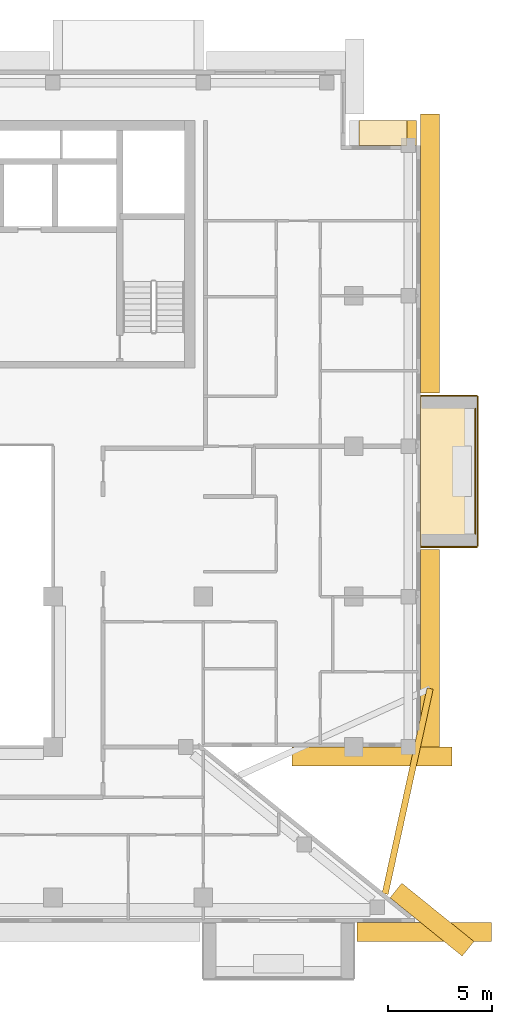
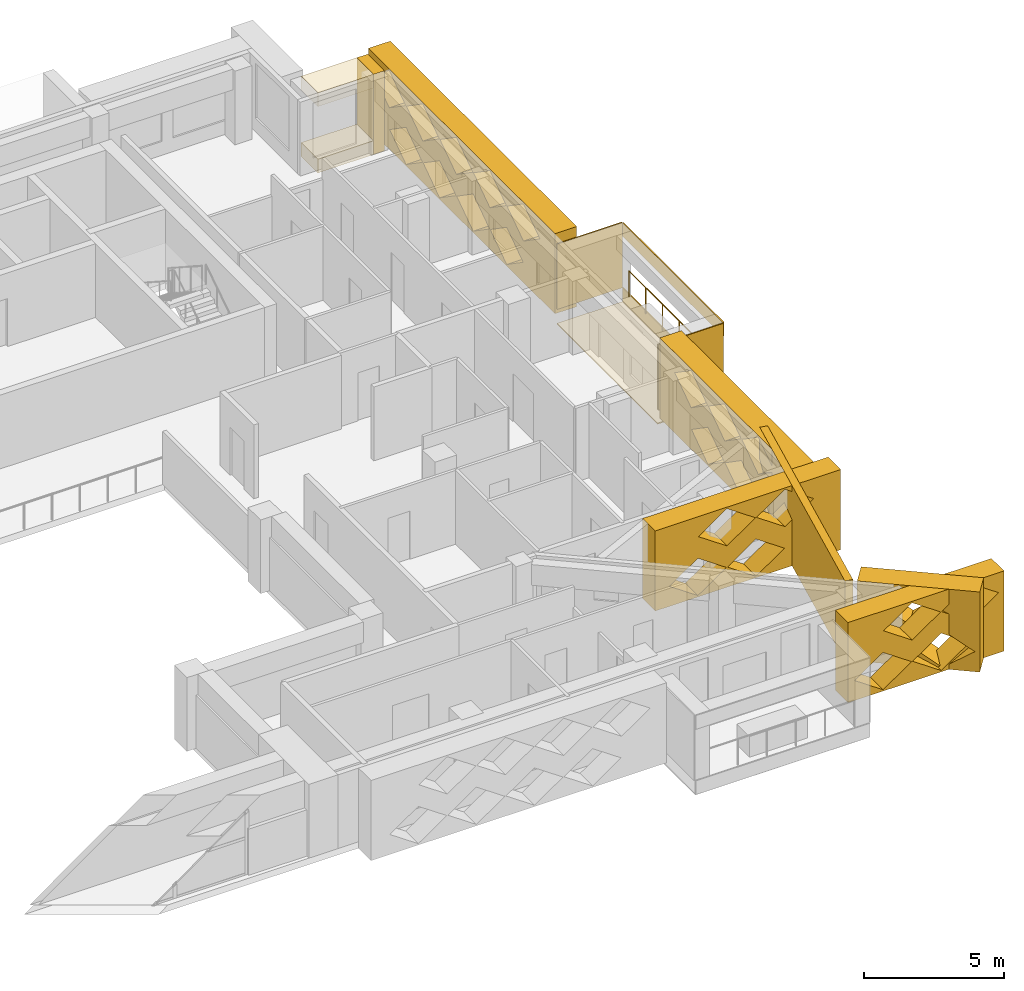
# One storey, part 19 of 19: 14 coverings, 1 railing.
"""IFC4 building model written with IfcOpenShell, lengths in metres."""

from ifc_helpers import new_model, si_unit, direction, frame, origin, origin_2d, place, context, subcontext, project, spatial, polyline, circle, outline, extrude, material, layer, layer_set, type_object, element, save


model = new_model("IFC4")

# Units and contexts
model_context = context("Model", 3, precision=1e-05, world=origin(), true_north=direction((0.0, 1.0)))
body_context = subcontext(model_context, "Body", "Model", "MODEL_VIEW")
ifc_project = project(units=[si_unit("LENGTHUNIT", "METRE"), si_unit("AREAUNIT", "SQUARE_METRE"), si_unit("VOLUMEUNIT", "CUBIC_METRE"), si_unit("PLANEANGLEUNIT", "RADIAN"), si_unit("MASSUNIT", "GRAM", prefix="KILO")], contexts=[model_context])

# Site, building, storey
site_placement = place(None, origin())
site = spatial("IfcSite", under=ifc_project, at=site_placement, CompositionType="ELEMENT")
building_placement = place(site_placement, origin())
building = spatial("IfcBuilding", under=site, at=building_placement, Name="Saffron Iwan Residences", CompositionType="ELEMENT")
storey_placement = place(building_placement, frame((0.0, 0.0, 222.0)))
storey = spatial("IfcBuildingStorey", under=building, at=storey_placement, Name="L59", CompositionType="ELEMENT", Elevation=222.0)

# Railing
ifc_material_1 = material(Name="Stainless steel 316", Category="steel")
railing_type = type_object("IfcRailingType", Name="BALCONY GUARD 1150", PredefinedType="GUARDRAIL", material=ifc_material_1)
railing_placement = place(storey_placement, frame((85.02490234375, 58.199951171875, 0.0)))
element("IfcRailing", 1, at=railing_placement, inside=storey, type_object=railing_type, Name="Balcony guard L59 F2-0", PredefinedType="GUARDRAIL", context=body_context, shape_type="SweptSolid", body=[
    extrude(circle(Radius=0.02392578125, at=origin_2d()), frame((0.0, 0.0, 1.1259765625), z_axis=(0.0, 1.0, 0.0), x_axis=(-1.0, 0.0, 0.0)), (0.0, 0.0, 1.0), 6.0),
    extrude(circle(Radius=0.02099609375, at=origin_2d()), origin(), (0.0, 0.0, 1.0), 1.101806640625),
    extrude(circle(Radius=0.02099609375, at=origin_2d()), frame((0.0, 1.199951171875, 0.0)), (0.0, 0.0, 1.0), 1.101806640625),
    extrude(circle(Radius=0.02099609375, at=origin_2d()), frame((0.0, 2.39990234375, 0.0)), (0.0, 0.0, 1.0), 1.101806640625),
    extrude(circle(Radius=0.02099609375, at=origin_2d()), frame((0.0, 3.60009765625, 0.0)), (0.0, 0.0, 1.0), 1.101806640625),
    extrude(circle(Radius=0.02099609375, at=origin_2d()), frame((0.0, 4.800048828125, 0.0)), (0.0, 0.0, 1.0), 1.101806640625),
    extrude(circle(Radius=0.02099609375, at=origin_2d()), frame((0.0, 6.0, 0.0)), (0.0, 0.0, 1.0), 1.101806640625),
])

# Coverings
ifc_material_2 = material(Name="Precast concrete C40/50 white painted", Category="concrete")
ifc_layer_1 = layer(ifc_material_2, 0.050048828125)
ifc_layer_set_1 = layer_set([ifc_layer_1], Name="Precast concrete C40/50 white painted")
covering_type_1 = type_object("IfcCoveringType", Name="FRAME SKIN PRECAST WHITE 50", PredefinedType="CLADDING", material=ifc_layer_set_1)
for number, where, name in (
    (2, (0.0, 0.0, -0.60009765625), "Frame skin slab edge L59 F2-0"),
    (3, (0.0, 0.0, 2.25), "Frame skin fascia L59 F2-0"),
):
    element("IfcCovering", number, at=place(storey_placement, frame(where)), inside=storey, type_object=covering_type_1, Name=name, PredefinedType="CLADDING", context=body_context, shape_type="SweptSolid", body=[
        extrude(outline(polyline([(85.14990234375, 57.60009765625), (85.14990234375, 64.800048828125), (85.10009765625, 64.800048828125), (85.10009765625, 57.60009765625), (85.14990234375, 57.60009765625)])), origin(), (0.0, 0.0, 1.0), 0.60009765625),
    ])
covering_1_placement = place(storey_placement, frame((0.0, 0.0, -0.64990234375)))
element("IfcCovering", 4, at=covering_1_placement, inside=storey, type_object=covering_type_1, Name="Frame skin soffit L59 F2-0", PredefinedType="CLADDING", context=body_context, shape_type="SweptSolid", body=[
    extrude(outline(polyline([(85.10009765625, 57.60009765625), (85.10009765625, 64.800048828125), (82.39990234375, 64.800048828125), (82.39990234375, 57.60009765625), (85.10009765625, 57.60009765625)])), origin(), (0.0, 0.0, 1.0), 0.0498046875),
])
covering_2_placement = place(storey_placement, origin())
element("IfcCovering", 5, at=covering_2_placement, inside=storey, type_object=covering_type_1, Name="Frame skin fin L59 F2-0a", PredefinedType="CLADDING", context=body_context, shape_type="SweptSolid", body=[
    extrude(outline(polyline([(85.10009765625, 57.550048828125), (85.10009765625, 57.60009765625), (82.39990234375, 57.60009765625), (82.39990234375, 57.550048828125), (85.10009765625, 57.550048828125)])), origin(), (0.0, 0.0, 1.0), 2.85009765625),
])
covering_3_placement = place(storey_placement, origin())
element("IfcCovering", 6, at=covering_3_placement, inside=storey, type_object=covering_type_1, Name="Frame skin fin L59 F2-0b", PredefinedType="CLADDING", context=body_context, shape_type="SweptSolid", body=[
    extrude(outline(polyline([(85.10009765625, 64.800048828125), (85.10009765625, 64.85009765625), (82.39990234375, 64.85009765625), (82.39990234375, 64.800048828125), (85.10009765625, 64.800048828125)])), origin(), (0.0, 0.0, 1.0), 2.85009765625),
])
ifc_material_3 = material(Name="Precast concrete C40/50", Category="concrete")
covering_type_2 = type_object("IfcCoveringType", Name="OUTER SKIN LATTICE SCREEN", PredefinedType="CLADDING", material=ifc_material_3)
covering_4_placement = place(storey_placement, frame((84.387939453125, 37.994384765625, -0.280029296875), z_axis=(0.628558089533, 0.777762642509, 0.0), x_axis=(-0.777762642509, 0.628558089533, 0.0)))
element("IfcCovering", 7, at=covering_4_placement, inside=storey, type_object=covering_type_2, Name="OUTER SKIN lattice screen L59 F0.0", PredefinedType="CLADDING", context=body_context, shape_type="SweptSolid", body=[
    extrude(outline(polyline([(0.0, 0.0), (4.439697265625, 0.0), (4.439697265625, 3.5), (0.0, 3.5), (0.0, 0.0)]), holes=[polyline([(0.175537109375, 0.875), (1.35546875, 0.06005859375), (2.535400390625, 0.875), (1.35546875, 1.68994140625), (0.175537109375, 0.875)]), polyline([(1.37548828125, 2.625), (2.555419921875, 1.81005859375), (3.735595703125, 2.625), (2.555419921875, 3.43994140625), (1.37548828125, 2.625)])]), origin(), (0.0, 0.0, 1.0), 0.89990234375),
])
covering_5_placement = place(storey_placement, frame((76.235595703125, 48.0, -0.280029296875), z_axis=(0.0, -1.0, 0.0), x_axis=(1.0, 0.0, 0.0)))
element("IfcCovering", 8, at=covering_5_placement, inside=storey, type_object=covering_type_2, Name="OUTER SKIN lattice screen L59 F1.0", PredefinedType="CLADDING", context=body_context, shape_type="SweptSolid", body=[
    extrude(outline(polyline([(0.0, 0.0), (7.66455078125, 0.0), (7.66455078125, 3.5), (0.0, 3.5), (0.0, 0.0)]), holes=[polyline([(0.58447265625, 0.875), (1.764404296875, 0.06005859375), (2.944580078125, 0.875), (1.764404296875, 1.68994140625), (0.58447265625, 0.875)]), polyline([(2.984619140625, 0.875), (4.16455078125, 0.06005859375), (5.344482421875, 0.875), (4.16455078125, 1.68994140625), (2.984619140625, 0.875)]), polyline([(1.784423828125, 2.625), (2.964599609375, 1.81005859375), (4.14453125, 2.625), (2.964599609375, 3.43994140625), (1.784423828125, 2.625)]), polyline([(4.1845703125, 2.625), (5.364501953125, 1.81005859375), (6.54443359375, 2.625), (5.364501953125, 3.43994140625), (4.1845703125, 2.625)])]), origin(), (0.0, 0.0, 1.0), 0.89990234375),
])
covering_6_placement = place(storey_placement, frame((82.39990234375, 47.10009765625, -0.280029296875), z_axis=(1.0, 0.0, 0.0), x_axis=(0.0, 1.0, 0.0)))
element("IfcCovering", 9, at=covering_6_placement, inside=storey, type_object=covering_type_2, Name="OUTER SKIN lattice screen L59 F2.0", PredefinedType="CLADDING", context=body_context, shape_type="SweptSolid", body=[
    extrude(outline(polyline([(0.0, 0.0), (10.35009765625, 0.0), (10.35009765625, 3.5), (0.0, 3.5), (0.0, 0.0)]), holes=[polyline([(0.919921875, 0.875), (2.10009765625, 0.06005859375), (3.280029296875, 0.875), (2.10009765625, 1.68994140625), (0.919921875, 0.875)]), polyline([(3.320068359375, 0.875), (4.5, 0.06005859375), (5.679931640625, 0.875), (4.5, 1.68994140625), (3.320068359375, 0.875)]), polyline([(5.719970703125, 0.875), (6.89990234375, 0.06005859375), (8.080078125, 0.875), (6.89990234375, 1.68994140625), (5.719970703125, 0.875)]), polyline([(2.1201171875, 2.625), (3.300048828125, 1.81005859375), (4.47998046875, 2.625), (3.300048828125, 3.43994140625), (2.1201171875, 2.625)]), polyline([(4.52001953125, 2.625), (5.699951171875, 1.81005859375), (6.8798828125, 2.625), (5.699951171875, 3.43994140625), (4.52001953125, 2.625)]), polyline([(6.919921875, 2.625), (8.10009765625, 1.81005859375), (9.280029296875, 2.625), (8.10009765625, 3.43994140625), (6.919921875, 2.625)])]), origin(), (0.0, 0.0, 1.0), 0.900146484375),
])
covering_7_placement = place(storey_placement, frame((82.39990234375, 64.949951171875, -0.280029296875), z_axis=(1.0, 0.0, 0.0), x_axis=(0.0, 1.0, 0.0)))
element("IfcCovering", 10, at=covering_7_placement, inside=storey, type_object=covering_type_2, Name="OUTER SKIN lattice screen L59 F2.1", PredefinedType="CLADDING", context=body_context, shape_type="SweptSolid", body=[
    extrude(outline(polyline([(0.0, 0.0), (13.35009765625, 0.0), (13.35009765625, 3.5), (0.0, 3.5), (0.0, 0.0)]), holes=[polyline([(2.27001953125, 0.875), (3.449951171875, 0.06005859375), (4.6298828125, 0.875), (3.449951171875, 1.68994140625), (2.27001953125, 0.875)]), polyline([(4.669921875, 0.875), (5.85009765625, 0.06005859375), (7.030029296875, 0.875), (5.85009765625, 1.68994140625), (4.669921875, 0.875)]), polyline([(7.070068359375, 0.875), (8.25, 0.06005859375), (9.429931640625, 0.875), (8.25, 1.68994140625), (7.070068359375, 0.875)]), polyline([(9.469970703125, 0.875), (10.64990234375, 0.06005859375), (11.830078125, 0.875), (10.64990234375, 1.68994140625), (9.469970703125, 0.875)]), polyline([(1.070068359375, 2.625), (2.25, 1.81005859375), (3.429931640625, 2.625), (2.25, 3.43994140625), (1.070068359375, 2.625)]), polyline([(3.469970703125, 2.625), (4.64990234375, 1.81005859375), (5.830078125, 2.625), (4.64990234375, 3.43994140625), (3.469970703125, 2.625)]), polyline([(5.8701171875, 2.625), (7.050048828125, 1.81005859375), (8.22998046875, 2.625), (7.050048828125, 3.43994140625), (5.8701171875, 2.625)]), polyline([(8.27001953125, 2.625), (9.449951171875, 1.81005859375), (10.6298828125, 2.625), (9.449951171875, 3.43994140625), (8.27001953125, 2.625)]), polyline([(10.669921875, 2.625), (11.85009765625, 1.81005859375), (13.030029296875, 2.625), (11.85009765625, 3.43994140625), (10.669921875, 2.625)])]), origin(), (0.0, 0.0, 1.0), 0.900146484375),
])
covering_8_placement = place(storey_placement, frame((79.35009765625, 39.60009765625, -0.280029296875), z_axis=(0.0, -1.0, 0.0), x_axis=(1.0, 0.0, 0.0)))
element("IfcCovering", 11, at=covering_8_placement, inside=storey, type_object=covering_type_2, Name="OUTER SKIN lattice screen L59 F11.3", PredefinedType="CLADDING", context=body_context, shape_type="SweptSolid", body=[
    extrude(outline(polyline([(0.0, 0.0), (6.445556640625, 0.0), (6.445556640625, 3.5), (0.0, 3.5), (0.0, 0.0)]), holes=[polyline([(0.27001953125, 0.875), (1.449951171875, 0.06005859375), (2.6298828125, 0.875), (1.449951171875, 1.68994140625), (0.27001953125, 0.875)]), polyline([(2.669921875, 0.875), (3.85009765625, 0.06005859375), (5.030029296875, 0.875), (3.85009765625, 1.68994140625), (2.669921875, 0.875)]), polyline([(1.469970703125, 2.625), (2.64990234375, 1.81005859375), (3.830078125, 2.625), (2.64990234375, 3.43994140625), (1.469970703125, 2.625)]), polyline([(3.8701171875, 2.625), (5.050048828125, 1.81005859375), (6.22998046875, 2.625), (5.050048828125, 3.43994140625), (3.8701171875, 2.625)])]), origin(), (0.0, 0.0, 1.0), 0.900146484375),
])
ifc_layer_2 = layer(ifc_material_2, 0.300048828125)
ifc_layer_set_2 = layer_set([ifc_layer_2], Name="Precast concrete C40/50 white painted")
covering_type_3 = type_object("IfcCoveringType", Name="PROW NOSE BLADE PRECAST WHITE", PredefinedType="CLADDING", material=ifc_layer_set_2)
covering_9_placement = place(storey_placement, frame((0.0, 0.0, -0.280029296875)))
element("IfcCovering", 12, at=covering_9_placement, inside=storey, type_object=covering_type_3, Name="Prow nose blade L59 a", PredefinedType="CLADDING", context=body_context, shape_type="SweptSolid", body=[
    extrude(outline(polyline([(80.847412109375, 40.9404296875), (83.001708984375, 50.769287109375), (82.70849609375, 50.83349609375), (80.55419921875, 41.004638671875), (80.847412109375, 40.9404296875)])), origin(), (0.0, 0.0, 1.0), 3.5),
])
covering_type_4 = type_object("IfcCoveringType", Name="WHITE SUN FRAME PRECAST", PredefinedType="CLADDING", material=ifc_material_2)
covering_10_placement = place(storey_placement, frame((82.199951171875, 76.800048828125, -0.280029296875), z_axis=(0.0, 1.0, 0.0), x_axis=(-1.0, 0.0, 0.0)))
element("IfcCovering", 13, at=covering_10_placement, inside=storey, type_object=covering_type_4, Name="Sun frame L59 F3 0.2a", PredefinedType="CLADDING", context=body_context, shape_type="SweptSolid", body=[
    extrude(outline(polyline([(0.0, 0.0), (0.449951171875, 0.0), (0.449951171875, 3.5), (0.0, 3.5), (0.0, 0.0)])), origin(), (0.0, 0.0, 1.0), 1.199951171875),
])
for number, where, z_axis, x_axis, name in (
    (14, (81.75, 76.800048828125, 2.6201171875), (0.0, 1.0, 0.0), (-1.0, 0.0, 0.0), "Sun frame L59 F3 0.2h"),
    (15, (81.75, 76.800048828125, -0.280029296875), (0.0, 1.0, 0.0), (-1.0, 0.0, 0.0), "Sun frame L59 F3 0.2s"),
):
    element("IfcCovering", number, at=place(storey_placement, frame(where, z_axis=z_axis, x_axis=x_axis)), inside=storey, type_object=covering_type_4, Name=name, PredefinedType="CLADDING", context=body_context, shape_type="SweptSolid", body=[
        extrude(outline(polyline([(0.0, 0.0), (2.300048828125, 0.0), (2.300048828125, 0.60009765625), (0.0, 0.60009765625), (0.0, 0.0)])), origin(), (0.0, 0.0, 1.0), 1.199951171875),
    ])

save(model, "model.ifc")
